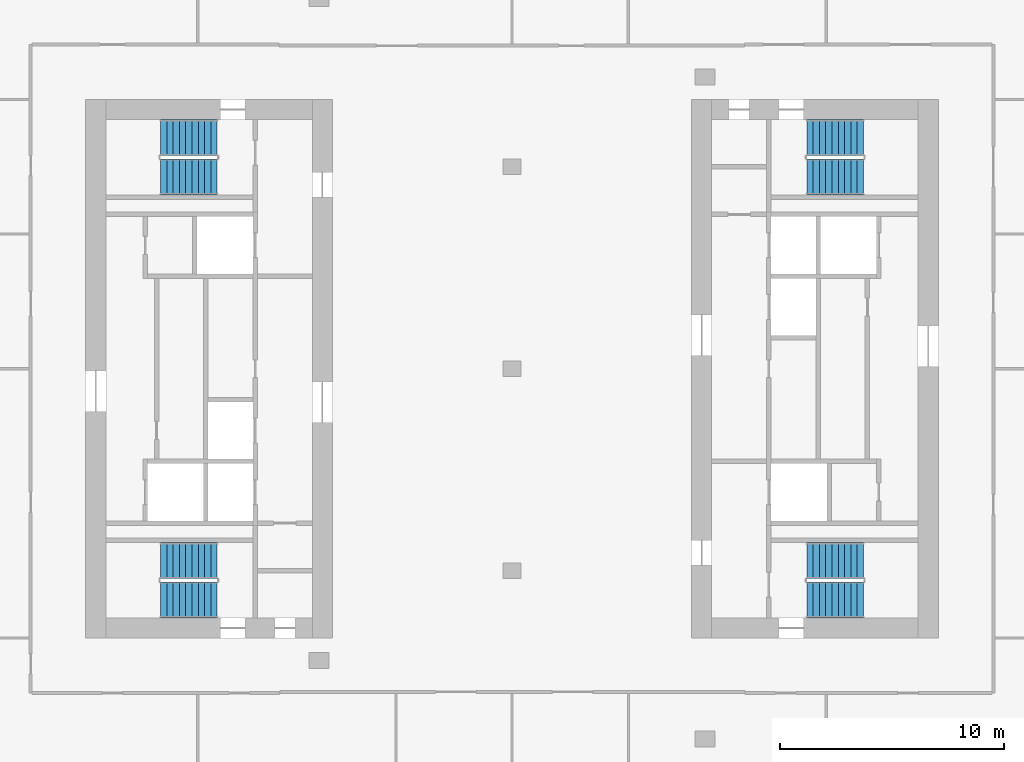
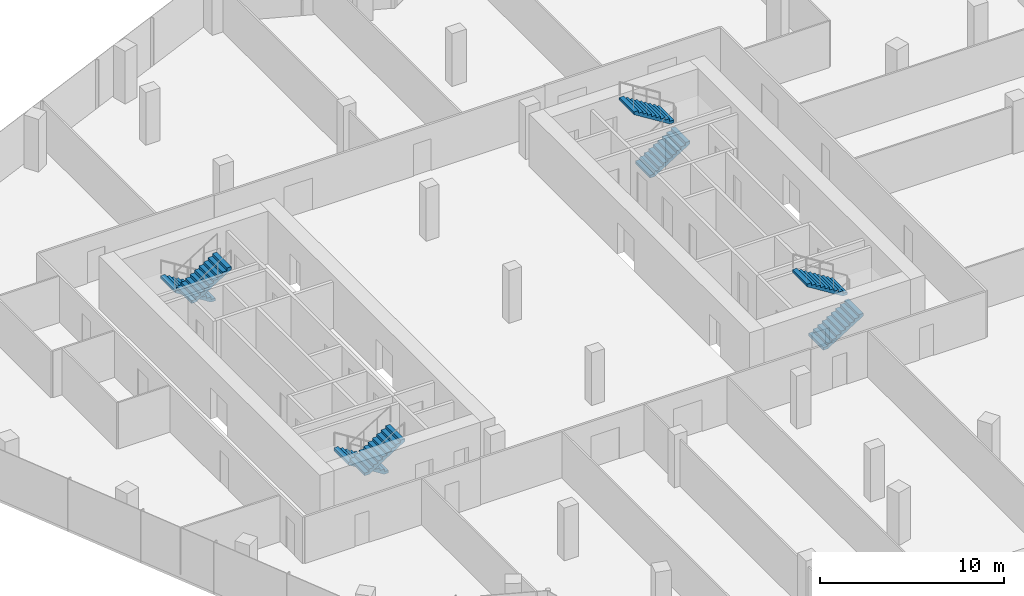
# One storey, part 15 of 16: 8 stair flights, 4 elements without a shape of their own.
"""IFC4 building model written with IfcOpenShell, lengths in metres."""

from ifc_helpers import new_model, si_unit, direction, frame, origin, place, context, subcontext, project, spatial, polyline, outline, extrude, material, type_object, element, aggregate, save


model = new_model("IFC4")

# Units and contexts
model_context = context("Model", 3, precision=1e-05, world=origin(), true_north=direction((0.0, 1.0)))
body_context = subcontext(model_context, "Body", "Model", "MODEL_VIEW")
ifc_project = project(units=[si_unit("LENGTHUNIT", "METRE"), si_unit("AREAUNIT", "SQUARE_METRE"), si_unit("VOLUMEUNIT", "CUBIC_METRE"), si_unit("PLANEANGLEUNIT", "RADIAN"), si_unit("MASSUNIT", "GRAM", prefix="KILO")], contexts=[model_context])

# Site, building, storey
site_placement = place(None, origin())
site = spatial("IfcSite", under=ifc_project, at=site_placement, CompositionType="ELEMENT")
building_placement = place(site_placement, origin())
building = spatial("IfcBuilding", under=site, at=building_placement, Name="Orlundy Tower", CompositionType="ELEMENT")
storey_placement = place(building_placement, frame((0.0, 0.0, 282.39990234375)))
storey = spatial("IfcBuildingStorey", under=building, at=storey_placement, Name="L75", CompositionType="ELEMENT", Elevation=282.39990234375)

# Stair, stair flights
ifc_material_1 = material(Name="Concrete C50/60", Category="concrete")
stair_type = type_object("IfcStairType", Name="Exit Stair 20 risers", PredefinedType="HALF_TURN_STAIR", material=ifc_material_1)
stair_1_placement = place(storey_placement, origin())
stair_1 = element("IfcStair", 1, at=stair_1_placement, inside=storey, type_object=stair_type, Name="L75 Exit Stair ST-W1", PredefinedType="HALF_TURN_STAIR")
ifc_material_2 = material(Name="Concrete C50/60", Category="concrete")
stair_flight_type = type_object("IfcStairFlightType", Name="Stair Flight 10 risers", PredefinedType="STRAIGHT", material=ifc_material_2)
stair_flight_1_placement = place(storey_placement, frame((-13.139892578125, 10.300048828125, 0.0), z_axis=(0.0, 0.0, 1.0), x_axis=(-1.0, 0.0, 0.0)))
stair_flight_1 = element("IfcStairFlight", 2, at=stair_flight_1_placement, type_object=stair_flight_type, Name="ST-W1 flight 1", NumberOfRisers=10, NumberOfTreads=9, PredefinedType="STRAIGHT", RiserHeight=0.175, TreadLength=0.28, context=body_context, shape_type="SweptSolid", body=[
    extrude(outline(polyline([(0.0, 0.0), (0.0, 0.175048828125), (0.280029296875, 0.175048828125), (0.280029296875, 0.35009765625), (0.56005859375, 0.35009765625), (0.56005859375, 0.52490234375), (0.840087890625, 0.52490234375), (0.840087890625, 0.699951171875), (1.1201171875, 0.699951171875), (1.1201171875, 0.875), (1.39990234375, 0.875), (1.39990234375, 1.050048828125), (1.679931640625, 1.050048828125), (1.679931640625, 1.22509765625), (1.9599609375, 1.22509765625), (1.9599609375, 1.39990234375), (2.239990234375, 1.39990234375), (2.239990234375, 1.574951171875), (2.52001953125, 1.574951171875), (2.52001953125, 1.75), (2.52001953125, 1.398193359375), (0.28271484375, 0.0), (0.0, 0.0)])), frame((0.0, 0.800048828125, 0.0), z_axis=(0.0, -1.0, 0.0), x_axis=(1.0, 0.0, 0.0)), (0.0, 0.0, 1.0), 1.60009765625),
])
stair_flight_2_placement = place(storey_placement, frame((-15.659912109375, 8.550048828125, 1.75), z_axis=(0.0, 0.0, 1.0), x_axis=(1.0, 0.0, 0.0)))
stair_flight_2 = element("IfcStairFlight", 3, at=stair_flight_2_placement, type_object=stair_flight_type, Name="ST-W1 flight 2", NumberOfRisers=10, NumberOfTreads=9, PredefinedType="STRAIGHT", RiserHeight=0.175, TreadLength=0.28, context=body_context, shape_type="SweptSolid", body=[
    extrude(outline(polyline([(0.0, 0.0), (0.0, 0.175048828125), (0.280029296875, 0.175048828125), (0.280029296875, 0.35009765625), (0.56005859375, 0.35009765625), (0.56005859375, 0.52490234375), (0.840087890625, 0.52490234375), (0.840087890625, 0.699951171875), (1.1201171875, 0.699951171875), (1.1201171875, 0.875), (1.39990234375, 0.875), (1.39990234375, 1.050048828125), (1.679931640625, 1.050048828125), (1.679931640625, 1.22509765625), (1.9599609375, 1.22509765625), (1.9599609375, 1.39990234375), (2.239990234375, 1.39990234375), (2.239990234375, 1.574951171875), (2.52001953125, 1.574951171875), (2.52001953125, 1.75), (2.52001953125, 1.398193359375), (0.28271484375, 0.0), (0.0, 0.0)])), frame((0.0, 0.800048828125, 0.0), z_axis=(0.0, -1.0, 0.0), x_axis=(1.0, 0.0, 0.0)), (0.0, 0.0, 1.0), 1.60009765625),
])
aggregate(stair_1, [stair_flight_1, stair_flight_2])

stair_2_placement = place(storey_placement, origin())
stair_2 = element("IfcStair", 4, at=stair_2_placement, inside=storey, type_object=stair_type, Name="L75 Exit Stair ST-W2", PredefinedType="HALF_TURN_STAIR")
stair_flight_3_placement = place(storey_placement, frame((-13.139892578125, -8.550048828125, 0.0), z_axis=(0.0, 0.0, 1.0), x_axis=(-1.0, 0.0, 0.0)))
stair_flight_3 = element("IfcStairFlight", 5, at=stair_flight_3_placement, type_object=stair_flight_type, Name="ST-W2 flight 1", NumberOfRisers=10, NumberOfTreads=9, PredefinedType="STRAIGHT", RiserHeight=0.175, TreadLength=0.28, context=body_context, shape_type="SweptSolid", body=[
    extrude(outline(polyline([(0.0, 0.0), (0.0, 0.175048828125), (0.280029296875, 0.175048828125), (0.280029296875, 0.35009765625), (0.56005859375, 0.35009765625), (0.56005859375, 0.52490234375), (0.840087890625, 0.52490234375), (0.840087890625, 0.699951171875), (1.1201171875, 0.699951171875), (1.1201171875, 0.875), (1.39990234375, 0.875), (1.39990234375, 1.050048828125), (1.679931640625, 1.050048828125), (1.679931640625, 1.22509765625), (1.9599609375, 1.22509765625), (1.9599609375, 1.39990234375), (2.239990234375, 1.39990234375), (2.239990234375, 1.574951171875), (2.52001953125, 1.574951171875), (2.52001953125, 1.75), (2.52001953125, 1.398193359375), (0.28271484375, 0.0), (0.0, 0.0)])), frame((0.0, 0.800048828125, 0.0), z_axis=(0.0, -1.0, 0.0), x_axis=(1.0, 0.0, 0.0)), (0.0, 0.0, 1.0), 1.60009765625),
])
stair_flight_4_placement = place(storey_placement, frame((-15.659912109375, -10.300048828125, 1.75), z_axis=(0.0, 0.0, 1.0), x_axis=(1.0, 0.0, 0.0)))
stair_flight_4 = element("IfcStairFlight", 6, at=stair_flight_4_placement, type_object=stair_flight_type, Name="ST-W2 flight 2", NumberOfRisers=10, NumberOfTreads=9, PredefinedType="STRAIGHT", RiserHeight=0.175, TreadLength=0.28, context=body_context, shape_type="SweptSolid", body=[
    extrude(outline(polyline([(0.0, 0.0), (0.0, 0.175048828125), (0.280029296875, 0.175048828125), (0.280029296875, 0.35009765625), (0.56005859375, 0.35009765625), (0.56005859375, 0.52490234375), (0.840087890625, 0.52490234375), (0.840087890625, 0.699951171875), (1.1201171875, 0.699951171875), (1.1201171875, 0.875), (1.39990234375, 0.875), (1.39990234375, 1.050048828125), (1.679931640625, 1.050048828125), (1.679931640625, 1.22509765625), (1.9599609375, 1.22509765625), (1.9599609375, 1.39990234375), (2.239990234375, 1.39990234375), (2.239990234375, 1.574951171875), (2.52001953125, 1.574951171875), (2.52001953125, 1.75), (2.52001953125, 1.398193359375), (0.28271484375, 0.0), (0.0, 0.0)])), frame((0.0, 0.800048828125, 0.0), z_axis=(0.0, -1.0, 0.0), x_axis=(1.0, 0.0, 0.0)), (0.0, 0.0, 1.0), 1.60009765625),
])
aggregate(stair_2, [stair_flight_3, stair_flight_4])

stair_3_placement = place(storey_placement, origin())
stair_3 = element("IfcStair", 7, at=stair_3_placement, inside=storey, type_object=stair_type, Name="L75 Exit Stair ST-E1", PredefinedType="HALF_TURN_STAIR")
stair_flight_5_placement = place(storey_placement, frame((13.139892578125, -10.300048828125, 0.0), z_axis=(0.0, 0.0, 1.0), x_axis=(1.0, 0.0, 0.0)))
stair_flight_5 = element("IfcStairFlight", 8, at=stair_flight_5_placement, type_object=stair_flight_type, Name="ST-E1 flight 1", NumberOfRisers=10, NumberOfTreads=9, PredefinedType="STRAIGHT", RiserHeight=0.175, TreadLength=0.28, context=body_context, shape_type="SweptSolid", body=[
    extrude(outline(polyline([(0.0, 0.0), (0.0, 0.175048828125), (0.280029296875, 0.175048828125), (0.280029296875, 0.35009765625), (0.56005859375, 0.35009765625), (0.56005859375, 0.52490234375), (0.840087890625, 0.52490234375), (0.840087890625, 0.699951171875), (1.1201171875, 0.699951171875), (1.1201171875, 0.875), (1.39990234375, 0.875), (1.39990234375, 1.050048828125), (1.679931640625, 1.050048828125), (1.679931640625, 1.22509765625), (1.9599609375, 1.22509765625), (1.9599609375, 1.39990234375), (2.239990234375, 1.39990234375), (2.239990234375, 1.574951171875), (2.52001953125, 1.574951171875), (2.52001953125, 1.75), (2.52001953125, 1.398193359375), (0.28271484375, 0.0), (0.0, 0.0)])), frame((0.0, 0.800048828125, 0.0), z_axis=(0.0, -1.0, 0.0), x_axis=(1.0, 0.0, 0.0)), (0.0, 0.0, 1.0), 1.60009765625),
])
stair_flight_6_placement = place(storey_placement, frame((15.659912109375, -8.550048828125, 1.75), z_axis=(0.0, 0.0, 1.0), x_axis=(-1.0, 0.0, 0.0)))
stair_flight_6 = element("IfcStairFlight", 9, at=stair_flight_6_placement, type_object=stair_flight_type, Name="ST-E1 flight 2", NumberOfRisers=10, NumberOfTreads=9, PredefinedType="STRAIGHT", RiserHeight=0.175, TreadLength=0.28, context=body_context, shape_type="SweptSolid", body=[
    extrude(outline(polyline([(0.0, 0.0), (0.0, 0.175048828125), (0.280029296875, 0.175048828125), (0.280029296875, 0.35009765625), (0.56005859375, 0.35009765625), (0.56005859375, 0.52490234375), (0.840087890625, 0.52490234375), (0.840087890625, 0.699951171875), (1.1201171875, 0.699951171875), (1.1201171875, 0.875), (1.39990234375, 0.875), (1.39990234375, 1.050048828125), (1.679931640625, 1.050048828125), (1.679931640625, 1.22509765625), (1.9599609375, 1.22509765625), (1.9599609375, 1.39990234375), (2.239990234375, 1.39990234375), (2.239990234375, 1.574951171875), (2.52001953125, 1.574951171875), (2.52001953125, 1.75), (2.52001953125, 1.398193359375), (0.28271484375, 0.0), (0.0, 0.0)])), frame((0.0, 0.800048828125, 0.0), z_axis=(0.0, -1.0, 0.0), x_axis=(1.0, 0.0, 0.0)), (0.0, 0.0, 1.0), 1.60009765625),
])
aggregate(stair_3, [stair_flight_5, stair_flight_6])

stair_4_placement = place(storey_placement, origin())
stair_4 = element("IfcStair", 10, at=stair_4_placement, inside=storey, type_object=stair_type, Name="L75 Exit Stair ST-E2", PredefinedType="HALF_TURN_STAIR")
stair_flight_7_placement = place(storey_placement, frame((13.139892578125, 8.550048828125, 0.0), z_axis=(0.0, 0.0, 1.0), x_axis=(1.0, 0.0, 0.0)))
stair_flight_7 = element("IfcStairFlight", 11, at=stair_flight_7_placement, type_object=stair_flight_type, Name="ST-E2 flight 1", NumberOfRisers=10, NumberOfTreads=9, PredefinedType="STRAIGHT", RiserHeight=0.175, TreadLength=0.28, context=body_context, shape_type="SweptSolid", body=[
    extrude(outline(polyline([(0.0, 0.0), (0.0, 0.175048828125), (0.280029296875, 0.175048828125), (0.280029296875, 0.35009765625), (0.56005859375, 0.35009765625), (0.56005859375, 0.52490234375), (0.840087890625, 0.52490234375), (0.840087890625, 0.699951171875), (1.1201171875, 0.699951171875), (1.1201171875, 0.875), (1.39990234375, 0.875), (1.39990234375, 1.050048828125), (1.679931640625, 1.050048828125), (1.679931640625, 1.22509765625), (1.9599609375, 1.22509765625), (1.9599609375, 1.39990234375), (2.239990234375, 1.39990234375), (2.239990234375, 1.574951171875), (2.52001953125, 1.574951171875), (2.52001953125, 1.75), (2.52001953125, 1.398193359375), (0.28271484375, 0.0), (0.0, 0.0)])), frame((0.0, 0.800048828125, 0.0), z_axis=(0.0, -1.0, 0.0), x_axis=(1.0, 0.0, 0.0)), (0.0, 0.0, 1.0), 1.60009765625),
])
stair_flight_8_placement = place(storey_placement, frame((15.659912109375, 10.300048828125, 1.75), z_axis=(0.0, 0.0, 1.0), x_axis=(-1.0, 0.0, 0.0)))
stair_flight_8 = element("IfcStairFlight", 12, at=stair_flight_8_placement, type_object=stair_flight_type, Name="ST-E2 flight 2", NumberOfRisers=10, NumberOfTreads=9, PredefinedType="STRAIGHT", RiserHeight=0.175, TreadLength=0.28, context=body_context, shape_type="SweptSolid", body=[
    extrude(outline(polyline([(0.0, 0.0), (0.0, 0.175048828125), (0.280029296875, 0.175048828125), (0.280029296875, 0.35009765625), (0.56005859375, 0.35009765625), (0.56005859375, 0.52490234375), (0.840087890625, 0.52490234375), (0.840087890625, 0.699951171875), (1.1201171875, 0.699951171875), (1.1201171875, 0.875), (1.39990234375, 0.875), (1.39990234375, 1.050048828125), (1.679931640625, 1.050048828125), (1.679931640625, 1.22509765625), (1.9599609375, 1.22509765625), (1.9599609375, 1.39990234375), (2.239990234375, 1.39990234375), (2.239990234375, 1.574951171875), (2.52001953125, 1.574951171875), (2.52001953125, 1.75), (2.52001953125, 1.398193359375), (0.28271484375, 0.0), (0.0, 0.0)])), frame((0.0, 0.800048828125, 0.0), z_axis=(0.0, -1.0, 0.0), x_axis=(1.0, 0.0, 0.0)), (0.0, 0.0, 1.0), 1.60009765625),
])
aggregate(stair_4, [stair_flight_7, stair_flight_8])

save(model, "model.ifc")
